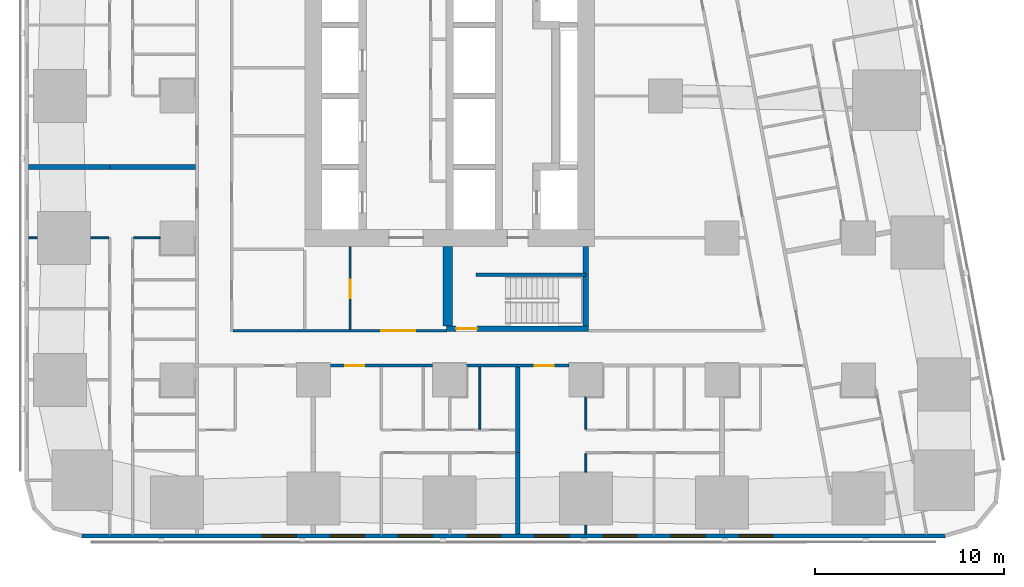
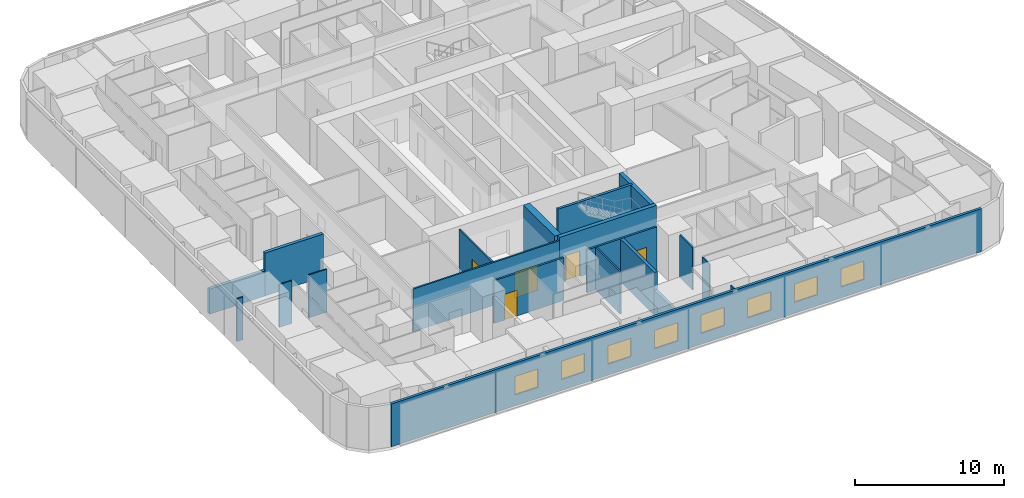
# One storey, part 3 of 18: 20 walls, 8 windows, 5 doors, 13 openings.
"""IFC4 building model written with IfcOpenShell, lengths in metres."""

from ifc_helpers import new_model, si_unit, direction, frame, frame_2d, origin, place, context, subcontext, project, spatial, rectangle, extrude, material, layer, layer_set, type_object, element, fill, save


model = new_model("IFC4")

# Units and contexts
model_context = context("Model", 3, precision=1e-05, world=origin(), true_north=direction((0.0, 1.0)))
body_context = subcontext(model_context, "Body", "Model", "MODEL_VIEW")
ifc_project = project(units=[si_unit("LENGTHUNIT", "METRE"), si_unit("AREAUNIT", "SQUARE_METRE"), si_unit("VOLUMEUNIT", "CUBIC_METRE"), si_unit("PLANEANGLEUNIT", "RADIAN"), si_unit("MASSUNIT", "GRAM", prefix="KILO")], contexts=[model_context])

# Site, building, storey
site_placement = place(None, origin())
site = spatial("IfcSite", under=ifc_project, at=site_placement, CompositionType="ELEMENT")
building_placement = place(site_placement, origin())
building = spatial("IfcBuilding", under=site, at=building_placement, Name="Sheger Commons Tower", CompositionType="ELEMENT")
storey_placement = place(building_placement, frame((0.0, 0.0, 35.0)))
storey = spatial("IfcBuildingStorey", under=building, at=storey_placement, Name="L08", CompositionType="ELEMENT", Elevation=35.0)

# Wall, opening, door
ifc_material_1 = material(Name="Hollow concrete block masonry, skimmed both sides", Category="masonry")
ifc_layer_1 = layer(ifc_material_1, 0.14990234375)
ifc_layer_set_1 = layer_set([ifc_layer_1], Name="CORRIDOR WALL 150")
wall_type_1 = type_object("IfcWallType", Name="CORRIDOR WALL 150", PredefinedType="SOLIDWALL", material=ifc_layer_set_1)
wall_1_placement = place(storey_placement, frame((27.89892578125, 8.25, 0.0), z_axis=(0.0, 0.0, 1.0), x_axis=(-1.0, 0.0, 0.0)))
wall_1 = element("IfcWall", 1, at=wall_1_placement, inside=storey, type_object=wall_type_1, Name="Corridor wall L08", PredefinedType="SOLIDWALL", context=body_context, shape_type="SweptSolid", body=[
    extrude(rectangle(XDim=5.39794921875, YDim=0.14990234375, at=frame_2d((2.698974609375, 0.0))), origin(), (0.0, 0.0, 1.0), 3.5),
])
opening_1_placement = place(wall_1_placement, frame((0.799072265625, 0.0, 0.0)))
opening_1 = element("IfcOpeningElement", 2, at=opening_1_placement, cuts=wall_1, Name="Opening D1", PredefinedType="OPENING", context=body_context, shape_type="SweptSolid", body=[
    extrude(rectangle(XDim=1.0, YDim=2.10009765625, at=frame_2d((0.5, 1.050048828125))), frame((0.0, 0.0849609375, 0.0), z_axis=(0.0, -1.0, 0.0), x_axis=(1.0, 0.0, 0.0)), (0.0, 0.0, 1.0), 0.169921875),
])
ifc_material_2 = material(Name="Steel door set, fire rated", Category="steel")
door_type_1 = type_object("IfcDoorType", Name="FLAT ENTRANCE DOOR 1000x2100", OperationType="NOTDEFINED", PredefinedType="DOOR", material=ifc_material_2)
door_1_placement = place(opening_1_placement, origin())
door_1 = element("IfcDoor", 3, at=door_1_placement, inside=storey, type_object=door_type_1, Name="Flat entrance door", OperationType="SINGLE_SWING_LEFT", OverallHeight=2.10009765625, OverallWidth=1.0, PredefinedType="DOOR", context=body_context, shape_type="SweptSolid", body=[
    extrude(rectangle(XDim=1.0, YDim=2.10009765625, at=frame_2d((0.5, 1.050048828125))), frame((0.0, 0.02490234375, 0.0), z_axis=(0.0, -1.0, 0.0), x_axis=(1.0, 0.0, 0.0)), (0.0, 0.0, 1.0), 0.050048828125),
])
fill(opening_1, door_1)

wall_2_placement = place(storey_placement, frame((20.698974609375, 8.25, 0.0), z_axis=(0.0, 0.0, 1.0), x_axis=(-1.0, 0.0, 0.0)))
wall_2 = element("IfcWall", 4, at=wall_2_placement, inside=storey, type_object=wall_type_1, Name="Corridor wall L08", PredefinedType="SOLIDWALL", context=body_context, shape_type="SweptSolid", body=[
    extrude(rectangle(XDim=5.39794921875, YDim=0.14990234375, at=frame_2d((2.698974609375, 0.0))), origin(), (0.0, 0.0, 1.0), 3.5),
])
opening_2_placement = place(wall_2_placement, frame((3.59912109375, 0.0, 0.0)))
opening_2 = element("IfcOpeningElement", 5, at=opening_2_placement, cuts=wall_2, Name="Opening D1", PredefinedType="OPENING", context=body_context, shape_type="SweptSolid", body=[
    extrude(rectangle(XDim=1.0, YDim=2.10009765625, at=frame_2d((0.5, 1.050048828125))), frame((0.0, 0.0849609375, 0.0), z_axis=(0.0, -1.0, 0.0), x_axis=(1.0, 0.0, 0.0)), (0.0, 0.0, 1.0), 0.169921875),
])
door_2_placement = place(opening_2_placement, origin())
door_2 = element("IfcDoor", 6, at=door_2_placement, inside=storey, type_object=door_type_1, Name="Flat entrance door", OperationType="SINGLE_SWING_RIGHT", OverallHeight=2.10009765625, OverallWidth=1.0, PredefinedType="DOOR", context=body_context, shape_type="SweptSolid", body=[
    extrude(rectangle(XDim=1.0, YDim=2.10009765625, at=frame_2d((0.5, 1.050048828125))), frame((0.0, 0.02490234375, 0.0), z_axis=(0.0, -1.0, 0.0), x_axis=(1.0, 0.0, 0.0)), (0.0, 0.0, 1.0), 0.050048828125),
])
fill(opening_2, door_2)

# Walls
ifc_material_3 = material(Name="Dense concrete block masonry, plastered both sides (separating wall between flats)", Category="masonry")
ifc_layer_2 = layer(ifc_material_3, 0.25)
ifc_layer_set_2 = layer_set([ifc_layer_2], Name="DEMISING WALL 250")
wall_type_2 = type_object("IfcWallType", Name="DEMISING WALL 250", PredefinedType="SOLIDWALL", material=ifc_layer_set_2)
wall_3_placement = place(storey_placement, frame((-0.64990234375, 18.75, 0.0), z_axis=(0.0, 0.0, 1.0), x_axis=(1.0, 0.0, 0.0)))
element("IfcWall", 7, at=wall_3_placement, inside=storey, type_object=wall_type_2, Name="Demising wall L08", PredefinedType="SOLIDWALL", context=body_context, shape_type="SweptSolid", body=[
    extrude(rectangle(XDim=4.2998046875, YDim=0.25, at=frame_2d((2.14990234375, 0.0))), origin(), (0.0, 0.0, 1.0), 2.050048828125),
])
wall_4_placement = place(storey_placement, frame((3.64990234375, 18.75, 0.0), z_axis=(0.0, 0.0, 1.0), x_axis=(1.0, 0.0, 0.0)))
element("IfcWall", 8, at=wall_4_placement, inside=storey, type_object=wall_type_2, Name="Demising wall L08", PredefinedType="SOLIDWALL", context=body_context, shape_type="SweptSolid", body=[
    extrude(rectangle(XDim=4.525146484375, YDim=0.25, at=frame_2d((2.2626953125, 0.0))), origin(), (0.0, 0.0, 1.0), 3.5),
])
wall_5_placement = place(storey_placement, frame((25.199951171875, -0.64990234375, 0.0), z_axis=(0.0, 0.0, 1.0), x_axis=(0.0, 1.0, 0.0)))
element("IfcWall", 9, at=wall_5_placement, inside=storey, type_object=wall_type_2, Name="Demising wall L08", PredefinedType="SOLIDWALL", context=body_context, shape_type="SweptSolid", body=[
    extrude(rectangle(XDim=4.2998046875, YDim=0.25, at=frame_2d((2.14990234375, 0.0))), origin(), (0.0, 0.0, 1.0), 2.050048828125),
])
wall_6_placement = place(storey_placement, frame((25.199951171875, 3.64990234375, 0.0), z_axis=(0.0, 0.0, 1.0), x_axis=(0.0, 1.0, 0.0)))
element("IfcWall", 10, at=wall_6_placement, inside=storey, type_object=wall_type_2, Name="Demising wall L08", PredefinedType="SOLIDWALL", context=body_context, shape_type="SweptSolid", body=[
    extrude(rectangle(XDim=4.525146484375, YDim=0.25, at=frame_2d((2.2626953125, 0.0))), origin(), (0.0, 0.0, 1.0), 3.5),
])

# Wall, openings, windows
ifc_material_4 = material(Name="Rendered concrete block masonry, dark grey", Category="masonry")
ifc_layer_3 = layer(ifc_material_4, 0.199951171875)
ifc_layer_set_3 = layer_set([ifc_layer_3], Name="FACADE WALL 200")
wall_type_3 = type_object("IfcWallType", Name="FACADE WALL 200", PredefinedType="SOLIDWALL", material=ifc_layer_set_3)
wall_7_placement = place(storey_placement, frame((2.1630859375, -0.75, 0.0), z_axis=(0.0, 0.0, 1.0), x_axis=(1.0, 0.0, 0.0)))
wall_7 = element("IfcWall", 11, at=wall_7_placement, inside=storey, type_object=wall_type_3, Name="Facade wall L08", PredefinedType="SOLIDWALL", context=body_context, shape_type="SweptSolid", body=[
    extrude(rectangle(XDim=45.6279296875, YDim=0.199951171875, at=frame_2d((22.81396484375, 0.0))), origin(), (0.0, 0.0, 1.0), 3.5),
])
opening_3_placement = place(wall_7_placement, frame((9.537109375, 0.0, 0.89990234375)))
opening_3 = element("IfcOpeningElement", 12, at=opening_3_placement, cuts=wall_7, Name="Opening W2", PredefinedType="OPENING", context=body_context, shape_type="SweptSolid", body=[
    extrude(rectangle(XDim=1.800048828125, YDim=1.5, at=frame_2d((0.89990234375, 0.75))), frame((0.0, 0.10986328125, 0.0), z_axis=(0.0, -1.0, 0.0), x_axis=(1.0, 0.0, 0.0)), (0.0, 0.0, 1.0), 0.219970703125),
])
opening_4_placement = place(wall_7_placement, frame((13.136962890625, 0.0, 0.89990234375)))
opening_4 = element("IfcOpeningElement", 13, at=opening_4_placement, cuts=wall_7, Name="Opening W2", PredefinedType="OPENING", context=body_context, shape_type="SweptSolid", body=[
    extrude(rectangle(XDim=1.800048828125, YDim=1.5, at=frame_2d((0.89990234375, 0.75))), frame((0.0, 0.10986328125, 0.0), z_axis=(0.0, -1.0, 0.0), x_axis=(1.0, 0.0, 0.0)), (0.0, 0.0, 1.0), 0.219970703125),
])
opening_5_placement = place(wall_7_placement, frame((16.737060546875, 0.0, 0.89990234375)))
opening_5 = element("IfcOpeningElement", 14, at=opening_5_placement, cuts=wall_7, Name="Opening W2", PredefinedType="OPENING", context=body_context, shape_type="SweptSolid", body=[
    extrude(rectangle(XDim=1.800048828125, YDim=1.5, at=frame_2d((0.89990234375, 0.75))), frame((0.0, 0.10986328125, 0.0), z_axis=(0.0, -1.0, 0.0), x_axis=(1.0, 0.0, 0.0)), (0.0, 0.0, 1.0), 0.219970703125),
])
opening_6_placement = place(wall_7_placement, frame((20.3369140625, 0.0, 0.89990234375)))
opening_6 = element("IfcOpeningElement", 15, at=opening_6_placement, cuts=wall_7, Name="Opening W2", PredefinedType="OPENING", context=body_context, shape_type="SweptSolid", body=[
    extrude(rectangle(XDim=1.800048828125, YDim=1.5, at=frame_2d((0.89990234375, 0.75))), frame((0.0, 0.10986328125, 0.0), z_axis=(0.0, -1.0, 0.0), x_axis=(1.0, 0.0, 0.0)), (0.0, 0.0, 1.0), 0.219970703125),
])
opening_7_placement = place(wall_7_placement, frame((23.93701171875, 0.0, 0.89990234375)))
opening_7 = element("IfcOpeningElement", 16, at=opening_7_placement, cuts=wall_7, Name="Opening W2", PredefinedType="OPENING", context=body_context, shape_type="SweptSolid", body=[
    extrude(rectangle(XDim=1.800048828125, YDim=1.5, at=frame_2d((0.89990234375, 0.75))), frame((0.0, 0.10986328125, 0.0), z_axis=(0.0, -1.0, 0.0), x_axis=(1.0, 0.0, 0.0)), (0.0, 0.0, 1.0), 0.219970703125),
])
opening_8_placement = place(wall_7_placement, frame((27.537109375, 0.0, 0.89990234375)))
opening_8 = element("IfcOpeningElement", 17, at=opening_8_placement, cuts=wall_7, Name="Opening W2", PredefinedType="OPENING", context=body_context, shape_type="SweptSolid", body=[
    extrude(rectangle(XDim=1.800048828125, YDim=1.5, at=frame_2d((0.89990234375, 0.75))), frame((0.0, 0.10986328125, 0.0), z_axis=(0.0, -1.0, 0.0), x_axis=(1.0, 0.0, 0.0)), (0.0, 0.0, 1.0), 0.219970703125),
])
opening_9_placement = place(wall_7_placement, frame((31.136962890625, 0.0, 0.89990234375)))
opening_9 = element("IfcOpeningElement", 18, at=opening_9_placement, cuts=wall_7, Name="Opening W2", PredefinedType="OPENING", context=body_context, shape_type="SweptSolid", body=[
    extrude(rectangle(XDim=1.800048828125, YDim=1.5, at=frame_2d((0.89990234375, 0.75))), frame((0.0, 0.10986328125, 0.0), z_axis=(0.0, -1.0, 0.0), x_axis=(1.0, 0.0, 0.0)), (0.0, 0.0, 1.0), 0.219970703125),
])
opening_10_placement = place(wall_7_placement, frame((34.737060546875, 0.0, 0.89990234375)))
opening_10 = element("IfcOpeningElement", 19, at=opening_10_placement, cuts=wall_7, Name="Opening W2", PredefinedType="OPENING", context=body_context, shape_type="SweptSolid", body=[
    extrude(rectangle(XDim=1.800048828125, YDim=1.5, at=frame_2d((0.89990234375, 0.75))), frame((0.0, 0.10986328125, 0.0), z_axis=(0.0, -1.0, 0.0), x_axis=(1.0, 0.0, 0.0)), (0.0, 0.0, 1.0), 0.219970703125),
])
ifc_material_5 = material(Name="Black aluminium frame, dark tinted double glazing", Category="aluminium")
window_type = type_object("IfcWindowType", Name="WINDOW W2 1800x1500", PartitioningType="SINGLE_PANEL", PredefinedType="WINDOW", material=ifc_material_5)
window_1_placement = place(opening_3_placement, origin())
window_1 = element("IfcWindow", 20, at=window_1_placement, inside=storey, type_object=window_type, Name="Window W2 1800X1500", OverallHeight=1.5, OverallWidth=1.800048828125, PartitioningType="SINGLE_PANEL", PredefinedType="WINDOW", context=body_context, shape_type="SweptSolid", body=[
    extrude(rectangle(XDim=1.800048828125, YDim=1.5, at=frame_2d((0.89990234375, 0.75))), frame((0.0, 0.030029296875, 0.0), z_axis=(0.0, -1.0, 0.0), x_axis=(1.0, 0.0, 0.0)), (0.0, 0.0, 1.0), 0.06005859375),
])
fill(opening_3, window_1)
window_2_placement = place(opening_4_placement, origin())
window_2 = element("IfcWindow", 21, at=window_2_placement, inside=storey, type_object=window_type, Name="Window W2 1800X1500", OverallHeight=1.5, OverallWidth=1.800048828125, PartitioningType="SINGLE_PANEL", PredefinedType="WINDOW", context=body_context, shape_type="SweptSolid", body=[
    extrude(rectangle(XDim=1.800048828125, YDim=1.5, at=frame_2d((0.89990234375, 0.75))), frame((0.0, 0.030029296875, 0.0), z_axis=(0.0, -1.0, 0.0), x_axis=(1.0, 0.0, 0.0)), (0.0, 0.0, 1.0), 0.06005859375),
])
fill(opening_4, window_2)
window_3_placement = place(opening_5_placement, origin())
window_3 = element("IfcWindow", 22, at=window_3_placement, inside=storey, type_object=window_type, Name="Window W2 1800X1500", OverallHeight=1.5, OverallWidth=1.800048828125, PartitioningType="SINGLE_PANEL", PredefinedType="WINDOW", context=body_context, shape_type="SweptSolid", body=[
    extrude(rectangle(XDim=1.800048828125, YDim=1.5, at=frame_2d((0.89990234375, 0.75))), frame((0.0, 0.030029296875, 0.0), z_axis=(0.0, -1.0, 0.0), x_axis=(1.0, 0.0, 0.0)), (0.0, 0.0, 1.0), 0.06005859375),
])
fill(opening_5, window_3)
window_4_placement = place(opening_6_placement, origin())
window_4 = element("IfcWindow", 23, at=window_4_placement, inside=storey, type_object=window_type, Name="Window W2 1800X1500", OverallHeight=1.5, OverallWidth=1.800048828125, PartitioningType="SINGLE_PANEL", PredefinedType="WINDOW", context=body_context, shape_type="SweptSolid", body=[
    extrude(rectangle(XDim=1.800048828125, YDim=1.5, at=frame_2d((0.89990234375, 0.75))), frame((0.0, 0.030029296875, 0.0), z_axis=(0.0, -1.0, 0.0), x_axis=(1.0, 0.0, 0.0)), (0.0, 0.0, 1.0), 0.06005859375),
])
fill(opening_6, window_4)
window_5_placement = place(opening_7_placement, origin())
window_5 = element("IfcWindow", 24, at=window_5_placement, inside=storey, type_object=window_type, Name="Window W2 1800X1500", OverallHeight=1.5, OverallWidth=1.800048828125, PartitioningType="SINGLE_PANEL", PredefinedType="WINDOW", context=body_context, shape_type="SweptSolid", body=[
    extrude(rectangle(XDim=1.800048828125, YDim=1.5, at=frame_2d((0.89990234375, 0.75))), frame((0.0, 0.030029296875, 0.0), z_axis=(0.0, -1.0, 0.0), x_axis=(1.0, 0.0, 0.0)), (0.0, 0.0, 1.0), 0.06005859375),
])
fill(opening_7, window_5)
window_6_placement = place(opening_8_placement, origin())
window_6 = element("IfcWindow", 25, at=window_6_placement, inside=storey, type_object=window_type, Name="Window W2 1800X1500", OverallHeight=1.5, OverallWidth=1.800048828125, PartitioningType="SINGLE_PANEL", PredefinedType="WINDOW", context=body_context, shape_type="SweptSolid", body=[
    extrude(rectangle(XDim=1.800048828125, YDim=1.5, at=frame_2d((0.89990234375, 0.75))), frame((0.0, 0.030029296875, 0.0), z_axis=(0.0, -1.0, 0.0), x_axis=(1.0, 0.0, 0.0)), (0.0, 0.0, 1.0), 0.06005859375),
])
fill(opening_8, window_6)
window_7_placement = place(opening_9_placement, origin())
window_7 = element("IfcWindow", 26, at=window_7_placement, inside=storey, type_object=window_type, Name="Window W2 1800X1500", OverallHeight=1.5, OverallWidth=1.800048828125, PartitioningType="SINGLE_PANEL", PredefinedType="WINDOW", context=body_context, shape_type="SweptSolid", body=[
    extrude(rectangle(XDim=1.800048828125, YDim=1.5, at=frame_2d((0.89990234375, 0.75))), frame((0.0, 0.030029296875, 0.0), z_axis=(0.0, -1.0, 0.0), x_axis=(1.0, 0.0, 0.0)), (0.0, 0.0, 1.0), 0.06005859375),
])
fill(opening_9, window_7)
window_8_placement = place(opening_10_placement, origin())
window_8 = element("IfcWindow", 27, at=window_8_placement, inside=storey, type_object=window_type, Name="Window W2 1800X1500", OverallHeight=1.5, OverallWidth=1.800048828125, PartitioningType="SINGLE_PANEL", PredefinedType="WINDOW", context=body_context, shape_type="SweptSolid", body=[
    extrude(rectangle(XDim=1.800048828125, YDim=1.5, at=frame_2d((0.89990234375, 0.75))), frame((0.0, 0.030029296875, 0.0), z_axis=(0.0, -1.0, 0.0), x_axis=(1.0, 0.0, 0.0)), (0.0, 0.0, 1.0), 0.06005859375),
])
fill(opening_10, window_8)

# Walls
ifc_material_6 = material(Name="Gypsum board on steel studs", Category="steel")
ifc_layer_4 = layer(ifc_material_6, 0.10009765625)
ifc_layer_set_4 = layer_set([ifc_layer_4], Name="PARTITION 100")
wall_type_4 = type_object("IfcWallType", Name="PARTITION 100", PredefinedType="PARTITIONING", material=ifc_layer_set_4)
wall_8_placement = place(storey_placement, frame((-0.64990234375, 15.0, 0.0), z_axis=(0.0, 0.0, 1.0), x_axis=(1.0, 0.0, 0.0)))
element("IfcWall", 28, at=wall_8_placement, inside=storey, type_object=wall_type_4, Name="Partition L08", PredefinedType="PARTITIONING", context=body_context, shape_type="SweptSolid", body=[
    extrude(rectangle(XDim=0.473876953125, YDim=0.10009765625, at=frame_2d((0.23681640625, 0.0))), origin(), (0.0, 0.0, 1.0), 3.5),
])
wall_9_placement = place(storey_placement, frame((2.6259765625, 15.0, 0.0), z_axis=(0.0, 0.0, 1.0), x_axis=(1.0, 0.0, 0.0)))
element("IfcWall", 29, at=wall_9_placement, inside=storey, type_object=wall_type_4, Name="Partition L08", PredefinedType="PARTITIONING", context=body_context, shape_type="SweptSolid", body=[
    extrude(rectangle(XDim=0.97412109375, YDim=0.10009765625, at=frame_2d((0.487060546875, 0.0))), origin(), (0.0, 0.0, 1.0), 3.5),
])
wall_10_placement = place(storey_placement, frame((4.89990234375, 15.0, 0.0), z_axis=(0.0, 0.0, 1.0), x_axis=(1.0, 0.0, 0.0)))
element("IfcWall", 30, at=wall_10_placement, inside=storey, type_object=wall_type_4, Name="Partition L08", PredefinedType="PARTITIONING", context=body_context, shape_type="SweptSolid", body=[
    extrude(rectangle(XDim=1.399169921875, YDim=0.10009765625, at=frame_2d((0.69970703125, 0.0))), origin(), (0.0, 0.0, 1.0), 3.5),
])
wall_11_placement = place(storey_placement, frame((23.199951171875, 4.89990234375, 0.0), z_axis=(0.0, 0.0, 1.0), x_axis=(0.0, 1.0, 0.0)))
element("IfcWall", 31, at=wall_11_placement, inside=storey, type_object=wall_type_4, Name="Partition L08", PredefinedType="PARTITIONING", context=body_context, shape_type="SweptSolid", body=[
    extrude(rectangle(XDim=3.275146484375, YDim=0.10009765625, at=frame_2d((1.6376953125, 0.0))), origin(), (0.0, 0.0, 1.0), 3.5),
])
wall_12_placement = place(storey_placement, frame((28.800048828125, -0.64990234375, 0.0), z_axis=(0.0, 0.0, 1.0), x_axis=(0.0, 1.0, 0.0)))
element("IfcWall", 32, at=wall_12_placement, inside=storey, type_object=wall_type_4, Name="Partition L08", PredefinedType="PARTITIONING", context=body_context, shape_type="SweptSolid", body=[
    extrude(rectangle(XDim=0.473876953125, YDim=0.10009765625, at=frame_2d((0.23681640625, 0.0))), origin(), (0.0, 0.0, 1.0), 3.5),
])
wall_13_placement = place(storey_placement, frame((28.800048828125, 2.6259765625, 0.0), z_axis=(0.0, 0.0, 1.0), x_axis=(0.0, 1.0, 0.0)))
element("IfcWall", 33, at=wall_13_placement, inside=storey, type_object=wall_type_4, Name="Partition L08", PredefinedType="PARTITIONING", context=body_context, shape_type="SweptSolid", body=[
    extrude(rectangle(XDim=0.97412109375, YDim=0.10009765625, at=frame_2d((0.487060546875, 0.0))), origin(), (0.0, 0.0, 1.0), 3.5),
])
wall_14_placement = place(storey_placement, frame((28.800048828125, 4.89990234375, 0.0), z_axis=(0.0, 0.0, 1.0), x_axis=(0.0, 1.0, 0.0)))
element("IfcWall", 34, at=wall_14_placement, inside=storey, type_object=wall_type_4, Name="Partition L08", PredefinedType="PARTITIONING", context=body_context, shape_type="SweptSolid", body=[
    extrude(rectangle(XDim=1.69921875, YDim=0.10009765625, at=frame_2d((0.849609375, 0.0))), origin(), (0.0, 0.0, 1.0), 3.5),
])

# Wall, opening, door
ifc_material_7 = material(Name="Gypsum board on steel studs, two layers each side, fire rated", Category="steel")
ifc_layer_5 = layer(ifc_material_7, 0.125)
ifc_layer_set_5 = layer_set([ifc_layer_5], Name="SERVICE WALL 125")
wall_type_5 = type_object("IfcWallType", Name="SERVICE WALL 125", PredefinedType="PARTITIONING", material=ifc_layer_set_5)
wall_15_placement = place(storey_placement, frame((10.1630859375, 10.10009765625, 0.0), z_axis=(0.0, 0.0, 1.0), x_axis=(1.0, 0.0, 0.0)))
wall_15 = element("IfcWall", 35, at=wall_15_placement, inside=storey, type_object=wall_type_5, Name="Service room wall L08", PredefinedType="PARTITIONING", context=body_context, shape_type="SweptSolid", body=[
    extrude(rectangle(XDim=11.286865234375, YDim=0.125, at=frame_2d((5.6435546875, 0.0))), origin(), (0.0, 0.0, 1.0), 3.5),
])
opening_11_placement = place(wall_15_placement, frame((7.83203125, 0.0, 0.0)))
opening_11 = element("IfcOpeningElement", 36, at=opening_11_placement, cuts=wall_15, Name="Opening D6", PredefinedType="OPENING", context=body_context, shape_type="SweptSolid", body=[
    extrude(rectangle(XDim=1.800048828125, YDim=2.10009765625, at=frame_2d((0.89990234375, 1.050048828125))), frame((0.0, 0.072509765625, 0.0), z_axis=(0.0, -1.0, 0.0), x_axis=(1.0, 0.0, 0.0)), (0.0, 0.0, 1.0), 0.14501953125),
])
ifc_material_8 = material(Name="Steel door set, fire rated", Category="steel")
door_type_2 = type_object("IfcDoorType", Name="LOBBY DOUBLE DOOR 1800x2100", OperationType="DOUBLE_DOOR_SINGLE_SWING", PredefinedType="DOOR", material=ifc_material_8)
door_3_placement = place(opening_11_placement, origin())
door_3 = element("IfcDoor", 37, at=door_3_placement, inside=storey, type_object=door_type_2, Name="Lift lobby south door", OperationType="DOUBLE_DOOR_SINGLE_SWING", OverallHeight=2.10009765625, OverallWidth=1.800048828125, PredefinedType="DOOR", context=body_context, shape_type="SweptSolid", body=[
    extrude(rectangle(XDim=1.800048828125, YDim=2.10009765625, at=frame_2d((0.89990234375, 1.050048828125))), frame((0.0, 0.02490234375, 0.0), z_axis=(0.0, -1.0, 0.0), x_axis=(1.0, 0.0, 0.0)), (0.0, 0.0, 1.0), 0.050048828125),
])
fill(opening_11, door_3)

wall_16_placement = place(storey_placement, frame((16.340087890625, 10.1630859375, 0.0), z_axis=(0.0, 0.0, 1.0), x_axis=(0.0, 1.0, 0.0)))
wall_16 = element("IfcWall", 38, at=wall_16_placement, inside=storey, type_object=wall_type_5, Name="Service room wall L08", PredefinedType="PARTITIONING", context=body_context, shape_type="SweptSolid", body=[
    extrude(rectangle(XDim=4.386962890625, YDim=0.125, at=frame_2d((2.193359375, 0.0))), origin(), (0.0, 0.0, 1.0), 3.5),
])
opening_12_placement = place(wall_16_placement, frame((1.636962890625, 0.0, 0.0)))
opening_12 = element("IfcOpeningElement", 39, at=opening_12_placement, cuts=wall_16, Name="Opening D4", PredefinedType="OPENING", context=body_context, shape_type="SweptSolid", body=[
    extrude(rectangle(XDim=1.0, YDim=2.10009765625, at=frame_2d((0.5, 1.050048828125))), frame((0.0, 0.072509765625, 0.0), z_axis=(0.0, -1.0, 0.0), x_axis=(1.0, 0.0, 0.0)), (0.0, 0.0, 1.0), 0.14501953125),
])
ifc_material_9 = material(Name="Steel door set, fire rated", Category="steel")
door_type_3 = type_object("IfcDoorType", Name="SERVICE DOOR 1000x2100", OperationType="NOTDEFINED", PredefinedType="DOOR", material=ifc_material_9)
door_4_placement = place(opening_12_placement, origin())
door_4 = element("IfcDoor", 40, at=door_4_placement, inside=storey, type_object=door_type_3, Name="Electrical room door", OperationType="SINGLE_SWING_LEFT", OverallHeight=2.10009765625, OverallWidth=1.0, PredefinedType="DOOR", context=body_context, shape_type="SweptSolid", body=[
    extrude(rectangle(XDim=1.0, YDim=2.10009765625, at=frame_2d((0.5, 1.050048828125))), frame((0.0, 0.02490234375, 0.0), z_axis=(0.0, -1.0, 0.0), x_axis=(1.0, 0.0, 0.0)), (0.0, 0.0, 1.0), 0.050048828125),
])
fill(opening_12, door_4)

ifc_material_10 = material(Name="Concrete C50/60", Category="concrete")
ifc_layer_6 = layer(ifc_material_10, 0.300048828125)
ifc_layer_set_6 = layer_set([ifc_layer_6], Name="STAIR CORE WALL 300")
wall_type_6 = type_object("IfcWallType", Name="STAIR CORE WALL 300", PredefinedType="SHEAR", material=ifc_layer_set_6)
wall_17_placement = place(storey_placement, frame((21.449951171875, 10.199951171875, 0.0), z_axis=(0.0, 0.0, 1.0), x_axis=(1.0, 0.0, 0.0)))
wall_17 = element("IfcWall", 41, at=wall_17_placement, inside=storey, type_object=wall_type_6, Name="STW-L08-S1S", PredefinedType="SHEAR", context=body_context, shape_type="SweptSolid", body=[
    extrude(rectangle(XDim=7.5, YDim=0.300048828125, at=frame_2d((3.75, 0.0))), origin(), (0.0, 0.0, 1.0), 3.75),
])
opening_13_placement = place(wall_17_placement, frame((0.5, 0.0, 0.0)))
opening_13 = element("IfcOpeningElement", 42, at=opening_13_placement, cuts=wall_17, Name="Opening D5", PredefinedType="OPENING", context=body_context, shape_type="SweptSolid", body=[
    extrude(rectangle(XDim=1.10009765625, YDim=2.10009765625, at=frame_2d((0.550048828125, 1.050048828125))), frame((0.0, 0.159912109375, 0.0), z_axis=(0.0, -1.0, 0.0), x_axis=(1.0, 0.0, 0.0)), (0.0, 0.0, 1.0), 0.320068359375),
])
ifc_material_11 = material(Name="Steel door set, fire rated", Category="steel")
door_type_4 = type_object("IfcDoorType", Name="STAIR DOOR 1100x2100", OperationType="NOTDEFINED", PredefinedType="DOOR", material=ifc_material_11)
door_5_placement = place(opening_13_placement, origin())
door_5 = element("IfcDoor", 43, at=door_5_placement, inside=storey, type_object=door_type_4, Name="Stair S1 door", OperationType="SINGLE_SWING_LEFT", OverallHeight=2.10009765625, OverallWidth=1.10009765625, PredefinedType="DOOR", context=body_context, shape_type="SweptSolid", body=[
    extrude(rectangle(XDim=1.10009765625, YDim=2.10009765625, at=frame_2d((0.550048828125, 1.050048828125))), frame((0.0, 0.02490234375, 0.0), z_axis=(0.0, -1.0, 0.0), x_axis=(1.0, 0.0, 0.0)), (0.0, 0.0, 1.0), 0.050048828125),
])
fill(opening_13, door_5)

# Walls
wall_18_placement = place(storey_placement, frame((28.800048828125, 10.35009765625, 0.0), z_axis=(0.0, 0.0, 1.0), x_axis=(0.0, 1.0, 0.0)))
element("IfcWall", 44, at=wall_18_placement, inside=storey, type_object=wall_type_6, Name="STW-L08-S1E", PredefinedType="SHEAR", context=body_context, shape_type="SweptSolid", body=[
    extrude(rectangle(XDim=4.199951171875, YDim=0.300048828125, at=frame_2d((2.10009765625, 0.0))), origin(), (0.0, 0.0, 1.0), 3.75),
])
ifc_material_12 = material(Name="Concrete C50/60", Category="concrete")
ifc_layer_7 = layer(ifc_material_12, 0.5)
ifc_layer_set_7 = layer_set([ifc_layer_7], Name="STAIR CORE WALL 500")
wall_type_7 = type_object("IfcWallType", Name="STAIR CORE WALL 500", PredefinedType="SHEAR", material=ifc_layer_set_7)
wall_19_placement = place(storey_placement, frame((21.5, 10.35009765625, 0.0), z_axis=(0.0, 0.0, 1.0), x_axis=(0.0, 1.0, 0.0)))
element("IfcWall", 45, at=wall_19_placement, inside=storey, type_object=wall_type_7, Name="STW-L08-S1W", PredefinedType="SHEAR", context=body_context, shape_type="SweptSolid", body=[
    extrude(rectangle(XDim=4.199951171875, YDim=0.5, at=frame_2d((2.10009765625, 0.0))), origin(), (0.0, 0.0, 1.0), 3.75),
])
ifc_material_13 = material(Name="Concrete C50/60", Category="concrete")
ifc_layer_8 = layer(ifc_material_13, 0.199951171875)
ifc_layer_set_8 = layer_set([ifc_layer_8], Name="STAIR SPINE WALL 200")
wall_type_8 = type_object("IfcWallType", Name="STAIR SPINE WALL 200", PredefinedType="SHEAR", material=ifc_layer_set_8)
wall_20_placement = place(storey_placement, frame((23.0, 13.050048828125, 0.0), z_axis=(0.0, 0.0, 1.0), x_axis=(1.0, 0.0, 0.0)))
element("IfcWall", 46, at=wall_20_placement, inside=storey, type_object=wall_type_8, Name="Stair spine wall L08", PredefinedType="SHEAR", context=body_context, shape_type="SweptSolid", body=[
    extrude(rectangle(XDim=5.800048828125, YDim=0.199951171875, at=frame_2d((2.89990234375, 0.0))), origin(), (0.0, 0.0, 1.0), 3.75),
])

save(model, "model.ifc")
